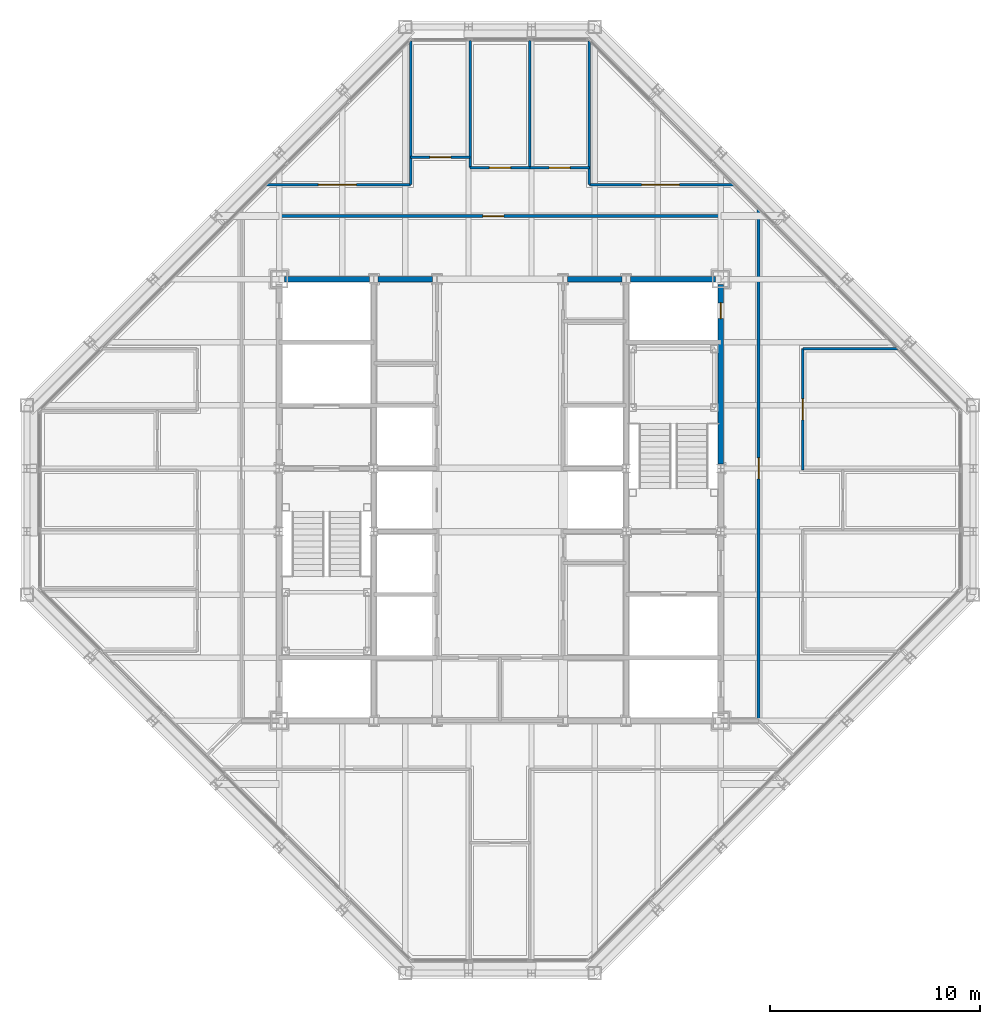
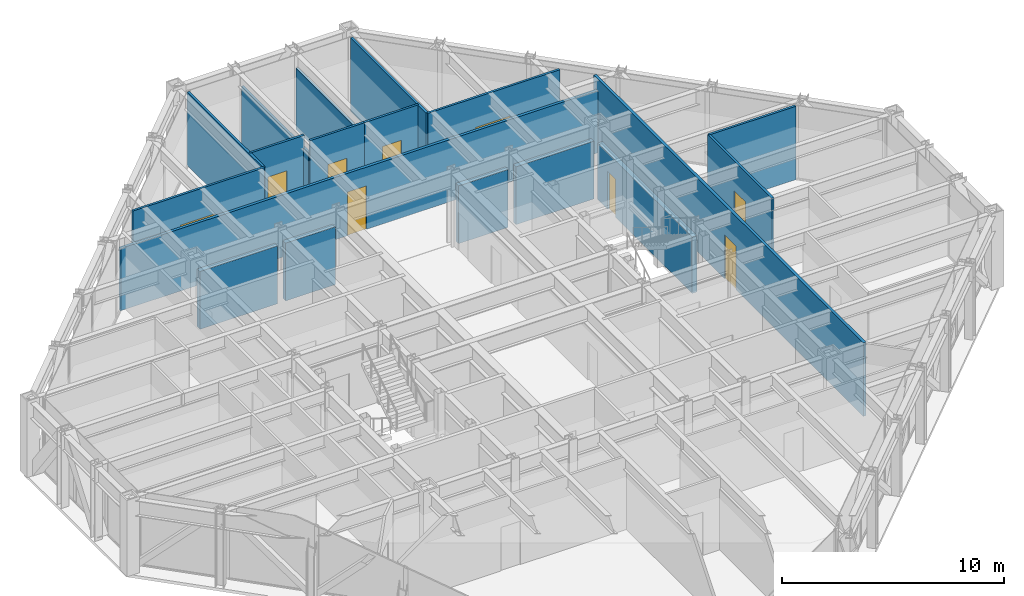
# One storey, part 12 of 15: 18 walls, 9 doors, 9 openings.
"""IFC4 building model written with IfcOpenShell, lengths in metres."""

import ifcopenshell
import ifcopenshell.guid

model = None  # the IFC model being written
_history = None  # IfcOwnerHistory: only IFC2X3 demands one
_inside = {}  # id of a spatial element -> (the spatial element, [elements in it])
_under = {}  # id of a project, library or spatial element -> (it, [spatial elements below it])
_declared = {}  # id of a project -> (the project, [libraries it declares])
_typed = {}  # id of a type object -> (the type object, [elements of that type])
_made_of = {}  # id of a material, layer set ... -> (it, [elements and type objects made of it])


def new_model(schema):
    """Start an empty IFC model of exactly this schema.

    Asked for "IFC4X3", IfcOpenShell would pick the latest addendum, in which some entities
    have other attributes; the version numbers below select the first issue.
    IFC2X3 requires an IfcOwnerHistory on every rooted entity: one is made here for all.
    """
    global model, _history
    if schema == "IFC4X3":
        model = ifcopenshell.file(schema_version=(4, 3, 0, 0))
    else:
        model = ifcopenshell.file(schema=schema)
    _inside.clear()
    _under.clear()
    _declared.clear()
    _typed.clear()
    _made_of.clear()
    _history = None
    if model.schema == "IFC2X3":
        org = make("IfcOrganization", Name="unknown")
        user = make(
            "IfcPersonAndOrganization",
            ThePerson=make("IfcPerson", FamilyName="unknown"),
            TheOrganization=org,
        )
        app = make(
            "IfcApplication",
            ApplicationDeveloper=org,
            Version="unknown",
            ApplicationFullName="unknown",
            ApplicationIdentifier="unknown",
        )
        _history = make(
            "IfcOwnerHistory",
            OwningUser=user,
            OwningApplication=app,
            ChangeAction="ADDED",
            CreationDate=0,
        )
    return model


def make(cls, **values):
    """One entity of the class cls with the attributes given. An attribute that is None is left unset."""
    return model.create_entity(
        cls, **{name: value for name, value in values.items() if value is not None}
    )


def rooted(cls, **values):
    """An entity with a GlobalId (a new one), such as an element, a storey or a relation."""
    return make(cls, GlobalId=ifcopenshell.guid.new(), OwnerHistory=_history, **values)


def si_unit(unit_type, name, prefix=None):
    """IfcSIUnit, for example si_unit("LENGTHUNIT", "METRE", prefix="MILLI")."""
    return make("IfcSIUnit", UnitType=unit_type, Prefix=prefix, Name=name)


def assignment(units):
    """IfcUnitAssignment: the units of a project."""
    return None if units is None else make("IfcUnitAssignment", Units=units)


def point(xyz):
    """IfcCartesianPoint."""
    return None if xyz is None else make("IfcCartesianPoint", Coordinates=xyz)


def direction(xyz):
    """IfcDirection."""
    return None if xyz is None else make("IfcDirection", DirectionRatios=xyz)


def frame(location, z_axis=None, x_axis=None):
    """IfcAxis2Placement3D, a coordinate frame: its origin and axes. An axis left out is left unset."""
    return make(
        "IfcAxis2Placement3D",
        Location=point(location),
        Axis=direction(z_axis),
        RefDirection=direction(x_axis),
    )


def frame_2d(location, x_axis=None):
    """IfcAxis2Placement2D, a coordinate frame in the plane: its origin and x axis."""
    return make(
        "IfcAxis2Placement2D", Location=point(location), RefDirection=direction(x_axis)
    )


def origin():
    """The frame at (0, 0, 0) with its axes left unset."""
    return frame((0.0, 0.0, 0.0))


def place(relative_to, where):
    """IfcLocalPlacement: puts the frame where relative to a parent placement (None: the world)."""
    return make(
        "IfcLocalPlacement", PlacementRelTo=relative_to, RelativePlacement=where
    )


def context(
    kind, dimensions, precision=None, world=None, true_north=None, identifier=None
):
    """IfcGeometricRepresentationContext, for example the 3D "Model" context."""
    return make(
        "IfcGeometricRepresentationContext",
        ContextIdentifier=identifier,
        ContextType=kind,
        CoordinateSpaceDimension=dimensions,
        Precision=precision,
        WorldCoordinateSystem=world,
        TrueNorth=true_north,
    )


def subcontext(parent, identifier, kind, view, scale=None):
    """IfcGeometricRepresentationSubContext, for example "Body" below "Model"."""
    return make(
        "IfcGeometricRepresentationSubContext",
        ContextIdentifier=identifier,
        ContextType=kind,
        ParentContext=parent,
        TargetScale=scale,
        TargetView=view,
    )


def project(units=None, contexts=None):
    """IfcProject with its units and contexts."""
    return rooted(
        "IfcProject",
        Name="project",
        RepresentationContexts=contexts,
        UnitsInContext=assignment(units),
    )


def spatial(cls, under=None, at=None, **own):
    """A site, building, storey or space (cls), placed at a placement, below another one or the project."""
    s = rooted(cls, ObjectPlacement=at, **own)
    if under is not None:
        _under.setdefault(under.id(), (under, []))[1].append(s)
    return s


def profile(cls, at=None, kind="AREA", **sizes):
    """A parametric profile (cls). Its sizes go by their IFC names, for example OverallWidth=200.0."""
    return make(cls, ProfileType=kind, Position=at, **sizes)


def rectangle(**sizes):
    """IfcRectangleProfileDef."""
    return profile("IfcRectangleProfileDef", **sizes)


def extrude(swept, where, along, depth):
    """IfcExtrudedAreaSolid: the profile swept, set in the frame where, extruded along a direction by depth."""
    return make(
        "IfcExtrudedAreaSolid",
        SweptArea=swept,
        Position=where,
        ExtrudedDirection=direction(along),
        Depth=depth,
    )


def shape(context_of_items, identifier, shape_type, items):
    """IfcShapeRepresentation: the items that make up one representation, for example the "Body"."""
    return make(
        "IfcShapeRepresentation",
        ContextOfItems=context_of_items,
        RepresentationIdentifier=identifier,
        RepresentationType=shape_type,
        Items=items,
    )


def material(Name=None, Category=None):
    """IfcMaterial."""
    return make("IfcMaterial", Name=Name, Category=Category)


def layer(
    of_material, thickness, ventilated=None, Name=None, Category=None, Priority=None
):
    """IfcMaterialLayer: one layer of a wall or slab, of a material (None: an air gap)."""
    return make(
        "IfcMaterialLayer",
        Material=of_material,
        LayerThickness=thickness,
        IsVentilated=ventilated,
        Name=Name,
        Category=Category,
        Priority=Priority,
    )


def layer_set(layers, Name=None):
    """IfcMaterialLayerSet."""
    return make("IfcMaterialLayerSet", MaterialLayers=layers, LayerSetName=Name)


def made_of(thing, what):
    """Note that an element or type object is made of a material, layer set ...; save() writes the relation."""
    if what is not None:
        _made_of.setdefault(what.id(), (what, []))[1].append(thing)
    return thing


def type_object(cls, material=None, **own):
    """A type object (cls), such as IfcWallType, which elements share."""
    return made_of(rooted(cls, **own), material)


def element(
    cls,
    number,
    at=None,
    inside=None,
    cuts=None,
    type_object=None,
    material=None,
    context=None,
    identifier="Body",
    shape_type=None,
    held_by="IfcProductDefinitionShape",
    body=None,
    shapes=None,
    **own,
):
    """One element of the class cls, such as IfcWall. Its Tag is "e" and its number.

    at: its placement. inside: the storey or other place that contains it. cuts: it is an
    opening in that element (IfcRelVoidsElement). A single representation is given by context,
    identifier, shape_type and body (its items); several are given by shapes. held_by: the class
    of the entity that holds the representations. save() writes the other relations.
    """
    e = rooted(cls, Tag="e%d" % number, ObjectPlacement=at, **own)
    if body is not None:
        shapes = [shape(context, identifier, shape_type, body)]
    if shapes is not None:
        e.Representation = make(held_by, Representations=shapes)
    if inside is not None:
        _inside.setdefault(inside.id(), (inside, []))[1].append(e)
    if cuts is not None:
        rooted(
            "IfcRelVoidsElement", RelatingBuildingElement=cuts, RelatedOpeningElement=e
        )
    if type_object is not None:
        _typed.setdefault(type_object.id(), (type_object, []))[1].append(e)
    return made_of(e, material)


def fill(opening, filler):
    """IfcRelFillsElement: the door or window that sits in an opening."""
    return rooted(
        "IfcRelFillsElement",
        RelatingOpeningElement=opening,
        RelatedBuildingElement=filler,
    )


def aggregate(whole, parts):
    """IfcRelAggregates: a whole, such as a stair, and the parts it consists of."""
    return rooted("IfcRelAggregates", RelatingObject=whole, RelatedObjects=parts)


def save(model, path):
    """Write the relations noted so far, then the file.

    IfcRelAggregates (storeys below a building ...), IfcRelContainedInSpatialStructure (elements
    in a storey), IfcRelDefinesByType, IfcRelAssociatesMaterial and IfcRelDeclares: one each for
    every whole, place, type object, material and project.
    """
    for whole, parts in _under.values():
        aggregate(whole, parts)
    for where, things in _inside.values():
        rooted(
            "IfcRelContainedInSpatialStructure",
            RelatedElements=things,
            RelatingStructure=where,
        )
    for kind, things in _typed.values():
        rooted("IfcRelDefinesByType", RelatedObjects=things, RelatingType=kind)
    for what, things in _made_of.values():
        rooted("IfcRelAssociatesMaterial", RelatedObjects=things, RelatingMaterial=what)
    for by, libraries in _declared.values():
        rooted("IfcRelDeclares", RelatingContext=by, RelatedDefinitions=libraries)
    model.write(path)


model = new_model("IFC4")

# Units and contexts
model_context = context("Model", 3, precision=1e-05, world=origin(), true_north=direction((0.0, 1.0)))
body_context = subcontext(model_context, "Body", "Model", "MODEL_VIEW")
ifc_project = project(units=[si_unit("LENGTHUNIT", "METRE"), si_unit("AREAUNIT", "SQUARE_METRE"), si_unit("VOLUMEUNIT", "CUBIC_METRE"), si_unit("PLANEANGLEUNIT", "RADIAN"), si_unit("MASSUNIT", "GRAM", prefix="KILO")], contexts=[model_context])

# Site, building, storey
site_placement = place(None, origin())
site = spatial("IfcSite", under=ifc_project, at=site_placement, CompositionType="ELEMENT")
building_placement = place(site_placement, origin())
building = spatial("IfcBuilding", under=site, at=building_placement, Name="Chuquiago Exchange Tower", CompositionType="ELEMENT")
storey_placement = place(building_placement, frame((0.0, 0.0, 283.199951171875)))
storey = spatial("IfcBuildingStorey", under=building, at=storey_placement, Name="L63", CompositionType="ELEMENT", Elevation=283.199951171875)

# Walls
ifc_material_1 = material(Name="Concrete masonry, fully grouted", Category="masonry")
ifc_layer_1 = layer(ifc_material_1, 0.25)
ifc_layer_set_1 = layer_set([ifc_layer_1], Name="W1 core wall 250")
wall_type_1 = type_object("IfcWallType", Name="W1 core wall 250", PredefinedType="SOLIDWALL", material=ifc_layer_set_1)
wall_1_placement = place(storey_placement, frame((12.25, 33.0, 0.0), z_axis=(0.0, 0.0, 1.0), x_axis=(1.0, 0.0, 0.0)))
element("IfcWall", 1, at=wall_1_placement, inside=storey, type_object=wall_type_1, Name="CW-L63-11-0", PredefinedType="SOLIDWALL", context=body_context, shape_type="SweptSolid", body=[
    extrude(rectangle(XDim=4.041748046875, YDim=0.25, at=frame_2d((2.02099609375, 0.0))), origin(), (0.0, 0.0, 1.0), 3.181640625),
])
for number, where, z_axis, x_axis, name in (
    (2, (16.708251953125, 33.0, 0.0), (0.0, 0.0, 1.0), (1.0, 0.0, 0.0), "CW-L63-11-1"),
    (3, (25.708251953125, 33.0, 0.0), (0.0, 0.0, 1.0), (1.0, 0.0, 0.0), "CW-L63-12-0"),
):
    element("IfcWall", number, at=place(storey_placement, frame(where, z_axis=z_axis, x_axis=x_axis)), inside=storey, type_object=wall_type_1, Name=name, PredefinedType="SOLIDWALL", context=body_context, shape_type="SweptSolid", body=[
        extrude(rectangle(XDim=2.58349609375, YDim=0.25, at=frame_2d((1.291748046875, 0.0))), origin(), (0.0, 0.0, 1.0), 3.181640625),
    ])
wall_2_placement = place(storey_placement, frame((28.708251953125, 33.0, 0.0), z_axis=(0.0, 0.0, 1.0), x_axis=(1.0, 0.0, 0.0)))
element("IfcWall", 4, at=wall_2_placement, inside=storey, type_object=wall_type_1, Name="CW-L63-12-1", PredefinedType="SOLIDWALL", context=body_context, shape_type="SweptSolid", body=[
    extrude(rectangle(XDim=4.041748046875, YDim=0.25, at=frame_2d((2.02099609375, 0.0))), origin(), (0.0, 0.0, 1.0), 3.181640625),
])

# Wall, opening, door
wall_3_placement = place(storey_placement, frame((33.0, 24.222412109375, 0.0), z_axis=(0.0, 0.0, 1.0), x_axis=(0.0, 1.0, 0.0)))
wall_3 = element("IfcWall", 5, at=wall_3_placement, inside=storey, type_object=wall_type_1, Name="CW-L63-25-2", PredefinedType="SOLIDWALL", context=body_context, shape_type="SweptSolid", body=[
    extrude(rectangle(XDim=8.527587890625, YDim=0.25, at=frame_2d((4.263671875, 0.0))), origin(), (0.0, 0.0, 1.0), 3.113037109375),
])
opening_1_placement = place(wall_3_placement, frame((6.902587890625, 0.0, 0.0)))
opening_1 = element("IfcOpeningElement", 6, at=opening_1_placement, cuts=wall_3, Name="Opening L63-010", PredefinedType="OPENING", context=body_context, shape_type="SweptSolid", body=[
    extrude(rectangle(XDim=0.75, YDim=2.10009765625, at=frame_2d((0.375, 1.050048828125))), frame((0.0, 0.135009765625, 0.0), z_axis=(0.0, -1.0, 0.0), x_axis=(1.0, 0.0, 0.0)), (0.0, 0.0, 1.0), 0.27001953125),
])
ifc_material_2 = material(Name="Steel door, painted", Category="steel")
door_type_1 = type_object("IfcDoorType", Name="D6 riser access door 750x2100", OperationType="SINGLE_SWING_LEFT", PredefinedType="DOOR", material=ifc_material_2)
door_1_placement = place(opening_1_placement, origin())
door_1 = element("IfcDoor", 7, at=door_1_placement, inside=storey, type_object=door_type_1, Name="Riser RE2 door", OperationType="SINGLE_SWING_RIGHT", OverallHeight=2.10009765625, OverallWidth=0.75, PredefinedType="DOOR", context=body_context, shape_type="SweptSolid", body=[
    extrude(rectangle(XDim=0.75, YDim=2.10009765625, at=frame_2d((0.375, 1.050048828125))), frame((0.0, 0.02490234375, 0.0), z_axis=(0.0, -1.0, 0.0), x_axis=(1.0, 0.0, 0.0)), (0.0, 0.0, 1.0), 0.050048828125),
])
fill(opening_1, door_1)

ifc_material_3 = material(Name="Gypsum board on steel studs, acoustic insulation", Category="steel")
ifc_layer_2 = layer(ifc_material_3, 0.14990234375)
ifc_layer_set_2 = layer_set([ifc_layer_2], Name="W11 corridor wall 150")
wall_type_2 = type_object("IfcWallType", Name="W11 corridor wall 150", PredefinedType="PARTITIONING", material=ifc_layer_set_2)
wall_4_placement = place(storey_placement, frame((9.885498046875, 36.0, 0.0), z_axis=(0.0, 0.0, 1.0), x_axis=(1.0, 0.0, 0.0)))
wall_4 = element("IfcWall", 8, at=wall_4_placement, inside=storey, type_object=wall_type_2, Name="PW-L63-GN0", PredefinedType="PARTITIONING", context=body_context, shape_type="SweptSolid", body=[
    extrude(rectangle(XDim=25.22900390625, YDim=0.14990234375, at=frame_2d((12.614501953125, 0.0))), origin(), (0.0, 0.0, 1.0), 3.427734375),
])
opening_2_placement = place(wall_4_placement, frame((11.800048828125, 0.0, 0.0)))
opening_2 = element("IfcOpeningElement", 9, at=opening_2_placement, cuts=wall_4, Name="Opening L63-039", PredefinedType="OPENING", context=body_context, shape_type="SweptSolid", body=[
    extrude(rectangle(XDim=1.0, YDim=2.39990234375, at=frame_2d((0.5, 1.199951171875))), frame((0.0, 0.0849609375, 0.0), z_axis=(0.0, -1.0, 0.0), x_axis=(1.0, 0.0, 0.0)), (0.0, 0.0, 1.0), 0.169921875),
])
ifc_material_4 = material(Name="Timber door, laminate faced", Category="wood")
door_type_2 = type_object("IfcDoorType", Name="D9 room door 1000x2400", OperationType="SINGLE_SWING_LEFT", PredefinedType="DOOR", material=ifc_material_4)
door_2_placement = place(opening_2_placement, origin())
door_2 = element("IfcDoor", 10, at=door_2_placement, inside=storey, type_object=door_type_2, Name="Team area door", OperationType="SINGLE_SWING_LEFT", OverallHeight=2.39990234375, OverallWidth=1.0, PredefinedType="DOOR", context=body_context, shape_type="SweptSolid", body=[
    extrude(rectangle(XDim=1.0, YDim=2.39990234375, at=frame_2d((0.5, 1.199951171875))), frame((0.0, 0.02490234375, 0.0), z_axis=(0.0, -1.0, 0.0), x_axis=(1.0, 0.0, 0.0)), (0.0, 0.0, 1.0), 0.050048828125),
])
fill(opening_2, door_2)

wall_5_placement = place(storey_placement, frame((34.800048828125, 12.0, 0.0), z_axis=(0.0, 0.0, 1.0), x_axis=(0.0, 1.0, 0.0)))
wall_5 = element("IfcWall", 11, at=wall_5_placement, inside=storey, type_object=wall_type_2, Name="PW-L63-GE0", PredefinedType="PARTITIONING", context=body_context, shape_type="SweptSolid", body=[
    extrude(rectangle(XDim=24.314453125, YDim=0.14990234375, at=frame_2d((12.1572265625, 0.0))), origin(), (0.0, 0.0, 1.0), 4.0400390625),
])
opening_3_placement = place(wall_5_placement, frame((11.5, 0.0, 0.0)))
opening_3 = element("IfcOpeningElement", 12, at=opening_3_placement, cuts=wall_5, Name="Opening L63-041", PredefinedType="OPENING", context=body_context, shape_type="SweptSolid", body=[
    extrude(rectangle(XDim=1.0, YDim=2.39990234375, at=frame_2d((0.5, 1.199951171875))), frame((0.0, 0.0849609375, 0.0), z_axis=(0.0, -1.0, 0.0), x_axis=(1.0, 0.0, 0.0)), (0.0, 0.0, 1.0), 0.169921875),
])
door_3_placement = place(opening_3_placement, frame((1.0, 0.0, 0.0), z_axis=(0.0, 0.0, 1.0), x_axis=(-1.0, 0.0, 0.0)))
door_3 = element("IfcDoor", 13, at=door_3_placement, inside=storey, type_object=door_type_2, Name="Team area door", OperationType="SINGLE_SWING_RIGHT", OverallHeight=2.39990234375, OverallWidth=1.0, PredefinedType="DOOR", context=body_context, shape_type="SweptSolid", body=[
    extrude(rectangle(XDim=1.0, YDim=2.39990234375, at=frame_2d((0.5, 1.199951171875))), frame((0.0, 0.02490234375, 0.0), z_axis=(0.0, -1.0, 0.0), x_axis=(1.0, 0.0, 0.0)), (0.0, 0.0, 1.0), 0.050048828125),
])
fill(opening_3, door_3)

# Wall
ifc_material_5 = material(Name="Gypsum board on steel studs", Category="steel")
ifc_layer_3 = layer(ifc_material_5, 0.1201171875)
ifc_layer_set_3 = layer_set([ifc_layer_3], Name="W4 partition 120")
wall_type_3 = type_object("IfcWallType", Name="W4 partition 120", PredefinedType="PARTITIONING", material=ifc_layer_set_3)
wall_6_placement = place(storey_placement, frame((41.392578125, 29.69287109375, 0.0), z_axis=(0.0, 0.0, 1.0), x_axis=(-1.0, 0.0, 0.0)))
element("IfcWall", 14, at=wall_6_placement, inside=storey, type_object=wall_type_3, Name="PW-L63-E02969", PredefinedType="PARTITIONING", context=body_context, shape_type="SweptSolid", body=[
    extrude(rectangle(XDim=4.49267578125, YDim=0.1201171875, at=frame_2d((2.246337890625, 0.0))), origin(), (0.0, 0.0, 1.0), 4.0400390625),
])

# Wall, opening, door
wall_7_placement = place(storey_placement, frame((36.89990234375, 23.917236328125, 0.0), z_axis=(0.0, 0.0, 1.0), x_axis=(0.0, 1.0, 0.0)))
wall_7 = element("IfcWall", 15, at=wall_7_placement, inside=storey, type_object=wall_type_3, Name="PW-L63-EF02392", PredefinedType="PARTITIONING", context=body_context, shape_type="SweptSolid", body=[
    extrude(rectangle(XDim=5.775634765625, YDim=0.1201171875, at=frame_2d((2.8876953125, 0.0))), origin(), (0.0, 0.0, 1.0), 4.0400390625),
])
opening_4_placement = place(wall_7_placement, frame((2.387939453125, 0.0, 0.0)))
opening_4 = element("IfcOpeningElement", 16, at=opening_4_placement, cuts=wall_7, Name="Opening L63-028", PredefinedType="OPENING", context=body_context, shape_type="SweptSolid", body=[
    extrude(rectangle(XDim=1.0, YDim=2.39990234375, at=frame_2d((0.5, 1.199951171875))), frame((0.0, 0.070068359375, 0.0), z_axis=(0.0, -1.0, 0.0), x_axis=(1.0, 0.0, 0.0)), (0.0, 0.0, 1.0), 0.14013671875),
])
door_4_placement = place(opening_4_placement, frame((1.0, 0.0, 0.0), z_axis=(0.0, 0.0, 1.0), x_axis=(-1.0, 0.0, 0.0)))
door_4 = element("IfcDoor", 17, at=door_4_placement, inside=storey, type_object=door_type_2, Name="Office door", OperationType="SINGLE_SWING_LEFT", OverallHeight=2.39990234375, OverallWidth=1.0, PredefinedType="DOOR", context=body_context, shape_type="SweptSolid", body=[
    extrude(rectangle(XDim=1.0, YDim=2.39990234375, at=frame_2d((0.5, 1.199951171875))), frame((0.0, 0.02490234375, 0.0), z_axis=(0.0, -1.0, 0.0), x_axis=(1.0, 0.0, 0.0)), (0.0, 0.0, 1.0), 0.050048828125),
])
fill(opening_4, door_4)

# Walls
wall_8_placement = place(storey_placement, frame((18.24853515625, 44.333984375, 0.0), z_axis=(0.0, 0.0, 1.0), x_axis=(0.0, -1.0, 0.0)))
element("IfcWall", 18, at=wall_8_placement, inside=storey, type_object=wall_type_3, Name="PW-L63-N01825", PredefinedType="PARTITIONING", context=body_context, shape_type="SweptSolid", body=[
    extrude(rectangle(XDim=6.833984375, YDim=0.1201171875, at=frame_2d((3.4169921875, 0.0))), origin(), (0.0, 0.0, 1.0), 4.0400390625),
])
for number, where, z_axis, x_axis, name in (
    (19, (21.082763671875, 44.347412109375, 0.0), (0.0, 0.0, 1.0), (0.0, -1.0, 0.0), "PW-L63-N02108"),
    (20, (23.917236328125, 44.347412109375, 0.0), (0.0, 0.0, 1.0), (0.0, -1.0, 0.0), "PW-L63-N02392"),
):
    element("IfcWall", number, at=place(storey_placement, frame(where, z_axis=z_axis, x_axis=x_axis)), inside=storey, type_object=wall_type_3, Name=name, PredefinedType="PARTITIONING", context=body_context, shape_type="SweptSolid", body=[
        extrude(rectangle(XDim=6.04736328125, YDim=0.1201171875, at=frame_2d((3.023681640625, 0.0))), origin(), (0.0, 0.0, 1.0), 3.35693359375),
    ])
wall_9_placement = place(storey_placement, frame((26.75146484375, 44.333984375, 0.0), z_axis=(0.0, 0.0, 1.0), x_axis=(0.0, -1.0, 0.0)))
element("IfcWall", 21, at=wall_9_placement, inside=storey, type_object=wall_type_3, Name="PW-L63-N02675", PredefinedType="PARTITIONING", context=body_context, shape_type="SweptSolid", body=[
    extrude(rectangle(XDim=6.833984375, YDim=0.1201171875, at=frame_2d((3.4169921875, 0.0))), origin(), (0.0, 0.0, 1.0), 4.0400390625),
])

# Wall, opening, door
wall_10_placement = place(storey_placement, frame((11.385498046875, 37.5, 0.0), z_axis=(0.0, 0.0, 1.0), x_axis=(1.0, 0.0, 0.0)))
wall_10 = element("IfcWall", 22, at=wall_10_placement, inside=storey, type_object=wall_type_3, Name="PW-L63-NF00942", PredefinedType="PARTITIONING", context=body_context, shape_type="SweptSolid", body=[
    extrude(rectangle(XDim=6.863037109375, YDim=0.1201171875, at=frame_2d((3.431640625, 0.0))), origin(), (0.0, 0.0, 1.0), 4.0400390625),
])
opening_5_placement = place(wall_10_placement, frame((2.479248046875, 0.0, 0.0)))
opening_5 = element("IfcOpeningElement", 23, at=opening_5_placement, cuts=wall_10, Name="Opening L63-029", PredefinedType="OPENING", context=body_context, shape_type="SweptSolid", body=[
    extrude(rectangle(XDim=1.800048828125, YDim=2.39990234375, at=frame_2d((0.89990234375, 1.199951171875))), frame((0.0, 0.070068359375, 0.0), z_axis=(0.0, -1.0, 0.0), x_axis=(1.0, 0.0, 0.0)), (0.0, 0.0, 1.0), 0.14013671875),
])
ifc_material_6 = material(Name="Timber door pair, laminate faced", Category="wood")
door_type_3 = type_object("IfcDoorType", Name="D15 double room door 1800x2400", OperationType="DOUBLE_DOOR_DOUBLE_SWING", PredefinedType="DOOR", material=ifc_material_6)
door_5_placement = place(opening_5_placement, origin())
door_5 = element("IfcDoor", 24, at=door_5_placement, inside=storey, type_object=door_type_3, Name="Broker lounge door", OperationType="DOUBLE_DOOR_DOUBLE_SWING", OverallHeight=2.39990234375, OverallWidth=1.800048828125, PredefinedType="DOOR", context=body_context, shape_type="SweptSolid", body=[
    extrude(rectangle(XDim=1.800048828125, YDim=2.39990234375, at=frame_2d((0.89990234375, 1.199951171875))), frame((0.0, 0.02490234375, 0.0), z_axis=(0.0, -1.0, 0.0), x_axis=(1.0, 0.0, 0.0)), (0.0, 0.0, 1.0), 0.050048828125),
])
fill(opening_5, door_5)

wall_11_placement = place(storey_placement, frame((18.24853515625, 38.800048828125, 0.0), z_axis=(0.0, 0.0, 1.0), x_axis=(1.0, 0.0, 0.0)))
wall_11 = element("IfcWall", 25, at=wall_11_placement, inside=storey, type_object=wall_type_3, Name="PW-L63-NF01825", PredefinedType="PARTITIONING", context=body_context, shape_type="SweptSolid", body=[
    extrude(rectangle(XDim=2.834228515625, YDim=0.1201171875, at=frame_2d((1.4169921875, 0.0))), origin(), (0.0, 0.0, 1.0), 4.0400390625),
])
opening_6_placement = place(wall_11_placement, frame((0.9169921875, 0.0, 0.0)))
opening_6 = element("IfcOpeningElement", 26, at=opening_6_placement, cuts=wall_11, Name="Opening L63-030", PredefinedType="OPENING", context=body_context, shape_type="SweptSolid", body=[
    extrude(rectangle(XDim=1.0, YDim=2.39990234375, at=frame_2d((0.5, 1.199951171875))), frame((0.0, 0.070068359375, 0.0), z_axis=(0.0, -1.0, 0.0), x_axis=(1.0, 0.0, 0.0)), (0.0, 0.0, 1.0), 0.14013671875),
])
door_6_placement = place(opening_6_placement, origin())
door_6 = element("IfcDoor", 27, at=door_6_placement, inside=storey, type_object=door_type_2, Name="Store door", OperationType="SINGLE_SWING_LEFT", OverallHeight=2.39990234375, OverallWidth=1.0, PredefinedType="DOOR", context=body_context, shape_type="SweptSolid", body=[
    extrude(rectangle(XDim=1.0, YDim=2.39990234375, at=frame_2d((0.5, 1.199951171875))), frame((0.0, 0.02490234375, 0.0), z_axis=(0.0, -1.0, 0.0), x_axis=(1.0, 0.0, 0.0)), (0.0, 0.0, 1.0), 0.050048828125),
])
fill(opening_6, door_6)

wall_12_placement = place(storey_placement, frame((21.082763671875, 38.300048828125, 0.0), z_axis=(0.0, 0.0, 1.0), x_axis=(1.0, 0.0, 0.0)))
wall_12 = element("IfcWall", 28, at=wall_12_placement, inside=storey, type_object=wall_type_3, Name="PW-L63-NF02108", PredefinedType="PARTITIONING", context=body_context, shape_type="SweptSolid", body=[
    extrude(rectangle(XDim=2.83447265625, YDim=0.1201171875, at=frame_2d((1.417236328125, 0.0))), origin(), (0.0, 0.0, 1.0), 4.0400390625),
])
opening_7_placement = place(wall_12_placement, frame((0.917236328125, 0.0, 0.0)))
opening_7 = element("IfcOpeningElement", 29, at=opening_7_placement, cuts=wall_12, Name="Opening L63-031", PredefinedType="OPENING", context=body_context, shape_type="SweptSolid", body=[
    extrude(rectangle(XDim=1.0, YDim=2.39990234375, at=frame_2d((0.5, 1.199951171875))), frame((0.0, 0.070068359375, 0.0), z_axis=(0.0, -1.0, 0.0), x_axis=(1.0, 0.0, 0.0)), (0.0, 0.0, 1.0), 0.14013671875),
])
ifc_material_7 = material(Name="Timber frame door, full height glazed panel", Category="wood")
door_type_4 = type_object("IfcDoorType", Name="D14 glazed meeting room door 1000x2400", OperationType="SINGLE_SWING_LEFT", PredefinedType="DOOR", material=ifc_material_7)
door_7_placement = place(opening_7_placement, origin())
door_7 = element("IfcDoor", 30, at=door_7_placement, inside=storey, type_object=door_type_4, Name="Meeting room door", OperationType="SINGLE_SWING_LEFT", OverallHeight=2.39990234375, OverallWidth=1.0, PredefinedType="DOOR", context=body_context, shape_type="SweptSolid", body=[
    extrude(rectangle(XDim=1.0, YDim=2.39990234375, at=frame_2d((0.5, 1.199951171875))), frame((0.0, 0.02490234375, 0.0), z_axis=(0.0, -1.0, 0.0), x_axis=(1.0, 0.0, 0.0)), (0.0, 0.0, 1.0), 0.050048828125),
])
fill(opening_7, door_7)

wall_13_placement = place(storey_placement, frame((23.917236328125, 38.300048828125, 0.0), z_axis=(0.0, 0.0, 1.0), x_axis=(1.0, 0.0, 0.0)))
wall_13 = element("IfcWall", 31, at=wall_13_placement, inside=storey, type_object=wall_type_3, Name="PW-L63-NF02392", PredefinedType="PARTITIONING", context=body_context, shape_type="SweptSolid", body=[
    extrude(rectangle(XDim=2.834228515625, YDim=0.1201171875, at=frame_2d((1.4169921875, 0.0))), origin(), (0.0, 0.0, 1.0), 4.0400390625),
])
opening_8_placement = place(wall_13_placement, frame((0.9169921875, 0.0, 0.0)))
opening_8 = element("IfcOpeningElement", 32, at=opening_8_placement, cuts=wall_13, Name="Opening L63-032", PredefinedType="OPENING", context=body_context, shape_type="SweptSolid", body=[
    extrude(rectangle(XDim=1.0, YDim=2.39990234375, at=frame_2d((0.5, 1.199951171875))), frame((0.0, 0.070068359375, 0.0), z_axis=(0.0, -1.0, 0.0), x_axis=(1.0, 0.0, 0.0)), (0.0, 0.0, 1.0), 0.14013671875),
])
door_8_placement = place(opening_8_placement, origin())
door_8 = element("IfcDoor", 33, at=door_8_placement, inside=storey, type_object=door_type_2, Name="Office door", OperationType="SINGLE_SWING_LEFT", OverallHeight=2.39990234375, OverallWidth=1.0, PredefinedType="DOOR", context=body_context, shape_type="SweptSolid", body=[
    extrude(rectangle(XDim=1.0, YDim=2.39990234375, at=frame_2d((0.5, 1.199951171875))), frame((0.0, 0.02490234375, 0.0), z_axis=(0.0, -1.0, 0.0), x_axis=(1.0, 0.0, 0.0)), (0.0, 0.0, 1.0), 0.050048828125),
])
fill(opening_8, door_8)

wall_14_placement = place(storey_placement, frame((26.75146484375, 37.5, 0.0), z_axis=(0.0, 0.0, 1.0), x_axis=(1.0, 0.0, 0.0)))
wall_14 = element("IfcWall", 34, at=wall_14_placement, inside=storey, type_object=wall_type_3, Name="PW-L63-NF02675", PredefinedType="PARTITIONING", context=body_context, shape_type="SweptSolid", body=[
    extrude(rectangle(XDim=6.863037109375, YDim=0.1201171875, at=frame_2d((3.431640625, 0.0))), origin(), (0.0, 0.0, 1.0), 4.0400390625),
])
opening_9_placement = place(wall_14_placement, frame((2.479248046875, 0.0, 0.0)))
opening_9 = element("IfcOpeningElement", 35, at=opening_9_placement, cuts=wall_14, Name="Opening L63-033", PredefinedType="OPENING", context=body_context, shape_type="SweptSolid", body=[
    extrude(rectangle(XDim=1.800048828125, YDim=2.39990234375, at=frame_2d((0.89990234375, 1.199951171875))), frame((0.0, 0.070068359375, 0.0), z_axis=(0.0, -1.0, 0.0), x_axis=(1.0, 0.0, 0.0)), (0.0, 0.0, 1.0), 0.14013671875),
])
door_9_placement = place(opening_9_placement, origin())
door_9 = element("IfcDoor", 36, at=door_9_placement, inside=storey, type_object=door_type_3, Name="Dining room door", OperationType="DOUBLE_DOOR_DOUBLE_SWING", OverallHeight=2.39990234375, OverallWidth=1.800048828125, PredefinedType="DOOR", context=body_context, shape_type="SweptSolid", body=[
    extrude(rectangle(XDim=1.800048828125, YDim=2.39990234375, at=frame_2d((0.89990234375, 1.199951171875))), frame((0.0, 0.02490234375, 0.0), z_axis=(0.0, -1.0, 0.0), x_axis=(1.0, 0.0, 0.0)), (0.0, 0.0, 1.0), 0.050048828125),
])
fill(opening_9, door_9)

save(model, "model.ifc")
